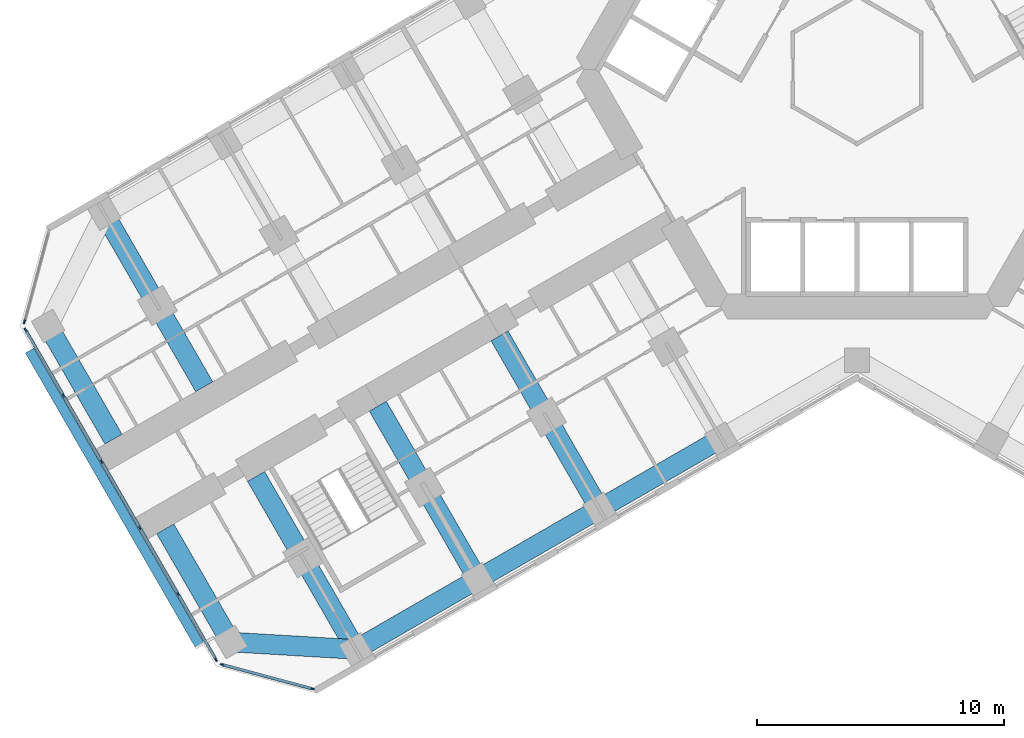
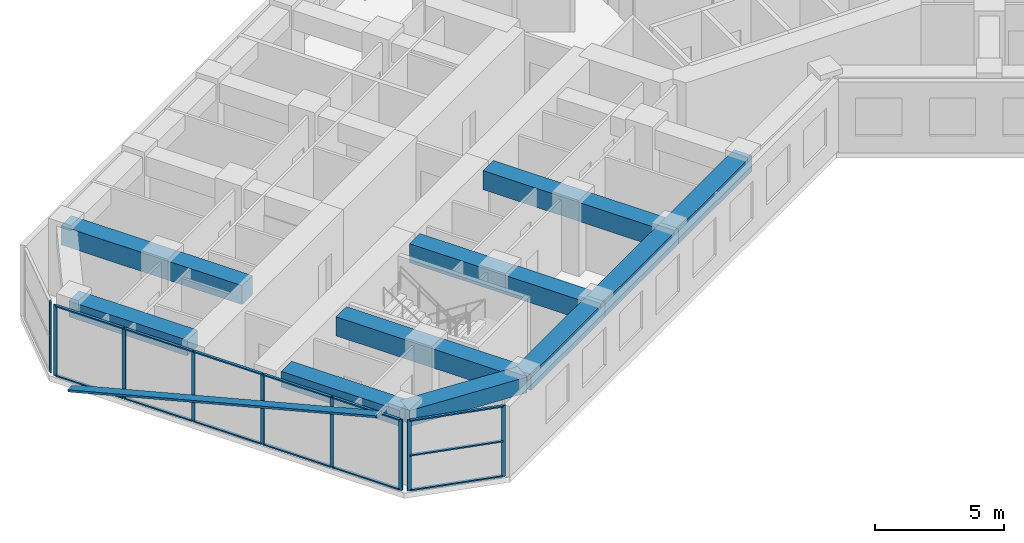
# One storey, part 2 of 21: 23 members, 10 beams, 3 elements without a shape of their own.
"""IFC4 building model written with IfcOpenShell, lengths in metres."""

from ifc_helpers import new_model, si_unit, direction, frame, origin, origin_2d, place, context, subcontext, project, spatial, rectangle, extrude, material, material_profile, profile_set, type_object, element, aggregate, save


model = new_model("IFC4")

# Units and contexts
model_context = context("Model", 3, precision=1e-05, world=origin(), true_north=direction((0.0, 1.0)))
body_context = subcontext(model_context, "Body", "Model", "MODEL_VIEW")
ifc_project = project(units=[si_unit("LENGTHUNIT", "METRE"), si_unit("AREAUNIT", "SQUARE_METRE"), si_unit("VOLUMEUNIT", "CUBIC_METRE"), si_unit("PLANEANGLEUNIT", "RADIAN"), si_unit("MASSUNIT", "GRAM", prefix="KILO")], contexts=[model_context])

# Site, building, storey
site_placement = place(None, origin())
site = spatial("IfcSite", under=ifc_project, at=site_placement, CompositionType="ELEMENT")
building_placement = place(site_placement, origin())
building = spatial("IfcBuilding", under=site, at=building_placement, Name="Kosmar Iwan School Tower", CompositionType="ELEMENT")
storey_placement = place(building_placement, frame((0.0, 0.0, 53.800048828125)))
storey = spatial("IfcBuildingStorey", under=building, at=storey_placement, Name="L12", CompositionType="ELEMENT", Elevation=53.800048828125)

# Member
ifc_material_1 = material(Name="Black anodised aluminium", Category="aluminium")
ifc_material_profile_1 = material_profile(ifc_material_1, rectangle(XDim=0.10009765625, YDim=0.39990234375, at=origin_2d()), Name="FIN 100x400")
ifc_profile_set_1 = profile_set([ifc_material_profile_1], Name="Black anodised aluminium")
member_type_1 = type_object("IfcMemberType", Name="Diagonal fin 100x400", PredefinedType="USERDEFINED", material=ifc_profile_set_1)
member_1_placement = place(storey_placement, frame((-33.54345703125, -11.40087890625, -0.150146484375), z_axis=(0.483793446988, -0.837970316603, 0.25248692866), x_axis=(-0.126241714543, 0.218661104574, 0.96760030532)))
element("IfcMember", 1, at=member_1_placement, inside=storey, type_object=member_type_1, Name="Diagonal fin L12-F13", ObjectType="FIN", PredefinedType="USERDEFINED", context=body_context, shape_type="SweptSolid", body=[
    extrude(rectangle(XDim=0.10009765625, YDim=0.39990234375, at=origin_2d()), origin(), (0.0, 0.0, 1.0), 14.258544921875),
])

# Curtain wall, member
ifc_material_2 = material(Name="Dark glass in black aluminium frame", Category="aluminium")
curtain_wall_type_1 = type_object("IfcCurtainWallType", Name="Chamfer curtain wall dark glass", PredefinedType="USERDEFINED", material=ifc_material_2)
curtain_wall_1_placement = place(storey_placement, origin())
curtain_wall_1 = element("IfcCurtainWall", 2, at=curtain_wall_1_placement, inside=storey, type_object=curtain_wall_type_1, Name="Curtain wall L12-F12", ObjectType="FACETED CURTAIN WALL", PredefinedType="USERDEFINED")
ifc_material_3 = material(Name="Black anodised aluminium", Category="aluminium")
ifc_material_profile_2 = material_profile(ifc_material_3, rectangle(XDim=0.06005859375, YDim=0.159912109375, at=origin_2d()), Name="MULLION 60x160")
ifc_profile_set_2 = profile_set([ifc_material_profile_2], Name="Black anodised aluminium")
member_type_2 = type_object("IfcMemberType", Name="Mullion 60x160", PredefinedType="MULLION", material=ifc_profile_set_2)
member_2_placement = place(storey_placement, frame((-33.7587890625, -10.2236328125, 0.0), z_axis=(0.0, 0.0, 1.0), x_axis=(0.965925875495, -0.258818861462, 0.0)))
member_2 = element("IfcMember", 3, at=member_2_placement, type_object=member_type_2, Name="CW2 mullion 2", PredefinedType="MULLION", context=body_context, shape_type="SweptSolid", body=[
    extrude(rectangle(XDim=0.06005859375, YDim=0.159912109375, at=origin_2d()), origin(), (0.0, 0.0, 1.0), 3.349853515625),
])
aggregate(curtain_wall_1, [member_2])

# Curtain wall, members
ifc_material_4 = material(Name="Dark glass in black aluminium frame", Category="aluminium")
curtain_wall_type_2 = type_object("IfcCurtainWallType", Name="Tower curtain wall dark glass", PredefinedType="USERDEFINED", material=ifc_material_4)
curtain_wall_2_placement = place(storey_placement, origin())
curtain_wall_2 = element("IfcCurtainWall", 4, at=curtain_wall_2_placement, inside=storey, type_object=curtain_wall_type_2, Name="Curtain wall L12-F13", ObjectType="UNITISED CURTAIN WALL", PredefinedType="USERDEFINED")
member_3_placement = place(storey_placement, frame((-33.71533203125, -10.55322265625, 0.0), z_axis=(0.0, 0.0, 1.0), x_axis=(0.866025405329, 0.499999997325, 0.0)))
member_3 = element("IfcMember", 5, at=member_3_placement, type_object=member_type_2, Name="CW1 mullion 1", PredefinedType="MULLION", context=body_context, shape_type="SweptSolid", body=[
    extrude(rectangle(XDim=0.06005859375, YDim=0.159912109375, at=origin_2d()), origin(), (0.0, 0.0, 1.0), 3.349853515625),
])
member_4_placement = place(storey_placement, frame((-32.1806640625, -13.21142578125, 0.0), z_axis=(0.0, 0.0, 1.0), x_axis=(0.866025405329, 0.499999997325, 0.0)))
member_4 = element("IfcMember", 6, at=member_4_placement, type_object=member_type_2, Name="CW1 mullion 2", PredefinedType="MULLION", context=body_context, shape_type="SweptSolid", body=[
    extrude(rectangle(XDim=0.06005859375, YDim=0.159912109375, at=origin_2d()), origin(), (0.0, 0.0, 1.0), 3.349853515625),
])
member_5_placement = place(storey_placement, frame((-30.631103515625, -15.8955078125, 0.0), z_axis=(0.0, 0.0, 1.0), x_axis=(0.866025405329, 0.499999997325, 0.0)))
member_5 = element("IfcMember", 7, at=member_5_placement, type_object=member_type_2, Name="CW1 mullion 3", PredefinedType="MULLION", context=body_context, shape_type="SweptSolid", body=[
    extrude(rectangle(XDim=0.06005859375, YDim=0.159912109375, at=origin_2d()), origin(), (0.0, 0.0, 1.0), 3.349853515625),
])
member_6_placement = place(storey_placement, frame((-29.081298828125, -18.57958984375, 0.0), z_axis=(0.0, 0.0, 1.0), x_axis=(0.866025405329, 0.499999997325, 0.0)))
member_6 = element("IfcMember", 8, at=member_6_placement, type_object=member_type_2, Name="CW1 mullion 4", PredefinedType="MULLION", context=body_context, shape_type="SweptSolid", body=[
    extrude(rectangle(XDim=0.06005859375, YDim=0.159912109375, at=origin_2d()), origin(), (0.0, 0.0, 1.0), 3.349853515625),
])
member_7_placement = place(storey_placement, frame((-27.53173828125, -21.263671875, 0.0), z_axis=(0.0, 0.0, 1.0), x_axis=(0.866025405329, 0.499999997325, 0.0)))
member_7 = element("IfcMember", 9, at=member_7_placement, type_object=member_type_2, Name="CW1 mullion 5", PredefinedType="MULLION", context=body_context, shape_type="SweptSolid", body=[
    extrude(rectangle(XDim=0.06005859375, YDim=0.159912109375, at=origin_2d()), origin(), (0.0, 0.0, 1.0), 3.349853515625),
])
member_8_placement = place(storey_placement, frame((-25.9970703125, -23.921630859375, 0.0), z_axis=(0.0, 0.0, 1.0), x_axis=(0.866025405329, 0.499999997325, 0.0)))
member_8 = element("IfcMember", 10, at=member_8_placement, type_object=member_type_2, Name="CW1 mullion 6", PredefinedType="MULLION", context=body_context, shape_type="SweptSolid", body=[
    extrude(rectangle(XDim=0.06005859375, YDim=0.159912109375, at=origin_2d()), origin(), (0.0, 0.0, 1.0), 3.349853515625),
])

curtain_wall_3_placement = place(storey_placement, origin())
curtain_wall_3 = element("IfcCurtainWall", 11, at=curtain_wall_3_placement, inside=storey, type_object=curtain_wall_type_1, Name="Curtain wall L12-F14", ObjectType="FACETED CURTAIN WALL", PredefinedType="USERDEFINED")
member_9_placement = place(storey_placement, frame((-25.733154296875, -24.124267578125, 0.0), z_axis=(0.0, 0.0, 1.0), x_axis=(0.258818861462, 0.965925875495, 0.0)))
member_9 = element("IfcMember", 12, at=member_9_placement, type_object=member_type_2, Name="CW2 mullion 1", PredefinedType="MULLION", context=body_context, shape_type="SweptSolid", body=[
    extrude(rectangle(XDim=0.06005859375, YDim=0.159912109375, at=origin_2d()), origin(), (0.0, 0.0, 1.0), 3.349853515625),
])
member_10_placement = place(storey_placement, frame((-22.0830078125, -25.102294921875, 0.0), z_axis=(0.0, 0.0, 1.0), x_axis=(0.258818861462, 0.965925875495, 0.0)))
member_10 = element("IfcMember", 13, at=member_10_placement, type_object=member_type_2, Name="CW2 mullion 2", PredefinedType="MULLION", context=body_context, shape_type="SweptSolid", body=[
    extrude(rectangle(XDim=0.06005859375, YDim=0.159912109375, at=origin_2d()), origin(), (0.0, 0.0, 1.0), 3.349853515625),
])

# Beams
ifc_material_5 = material(Name="Concrete C50/60", Category="concrete")
ifc_material_profile_3 = material_profile(ifc_material_5, rectangle(XDim=0.800048828125, YDim=0.75, at=origin_2d()), Name="RC 800x750")
ifc_profile_set_3 = profile_set([ifc_material_profile_3], Name="Concrete C50/60")
beam_type_1 = type_object("IfcBeamType", Name="RC edge beam 800x750", PredefinedType="BEAM", material=ifc_profile_set_3)
beam_1_placement = place(storey_placement, frame((-5.5087890625, -14.95849609375, 2.974853515625), z_axis=(-0.866033658841, -0.49998570155, 0.0), x_axis=(0.49998570155, -0.866033658841, 0.0)))
element("IfcBeam", 14, at=beam_1_placement, inside=storey, type_object=beam_type_1, Name="Edge beam BL2", PredefinedType="BEAM", context=body_context, shape_type="SweptSolid", body=[
    extrude(rectangle(XDim=0.800048828125, YDim=0.75, at=origin_2d()), origin(), (0.0, 0.0, 1.0), 5.699951171875),
])
beam_2_placement = place(storey_placement, frame((-10.445068359375, -17.808349609375, 2.974853515625), z_axis=(-0.866025820012, -0.499999279071, 0.0), x_axis=(0.499999279071, -0.866025820012, 0.0)))
element("IfcBeam", 15, at=beam_2_placement, inside=storey, type_object=beam_type_1, Name="Edge beam BL3", PredefinedType="BEAM", context=body_context, shape_type="SweptSolid", body=[
    extrude(rectangle(XDim=0.800048828125, YDim=0.75, at=origin_2d()), origin(), (0.0, 0.0, 1.0), 5.7001953125),
])
beam_3_placement = place(storey_placement, frame((-15.381591796875, -20.658447265625, 2.974853515625), z_axis=(-0.866015111908, -0.50001782563, 0.0), x_axis=(0.50001782563, -0.866015111908, 0.0)))
element("IfcBeam", 16, at=beam_3_placement, inside=storey, type_object=beam_type_1, Name="Edge beam BL4", PredefinedType="BEAM", context=body_context, shape_type="SweptSolid", body=[
    extrude(rectangle(XDim=0.800048828125, YDim=0.75, at=origin_2d()), origin(), (0.0, 0.0, 1.0), 5.699951171875),
])
ifc_material_6 = material(Name="Concrete C50/60", Category="concrete")
ifc_material_profile_4 = material_profile(ifc_material_6, rectangle(XDim=0.800048828125, YDim=0.75, at=origin_2d()), Name="RC 800x750")
ifc_profile_set_4 = profile_set([ifc_material_profile_4], Name="Concrete C50/60")
beam_type_2 = type_object("IfcBeamType", Name="RC tip beam 800x750", PredefinedType="BEAM", material=ifc_profile_set_4)
beam_4_placement = place(storey_placement, frame((-20.31787109375, -23.508544921875, 2.974853515625), z_axis=(-0.998260616478, 0.058955420358, 0.0), x_axis=(-0.058955420358, -0.998260616478, 0.0)))
element("IfcBeam", 17, at=beam_4_placement, inside=storey, type_object=beam_type_2, Name="Tip beam BL", PredefinedType="BEAM", context=body_context, shape_type="SweptSolid", body=[
    extrude(rectangle(XDim=0.800048828125, YDim=0.75, at=origin_2d()), origin(), (0.0, 0.0, 1.0), 5.08935546875),
])
beam_5_placement = place(storey_placement, frame((-25.3984375, -23.20849609375, 2.974853515625), z_axis=(-0.499993606316, 0.866029095148, 0.0), x_axis=(-0.866029095148, -0.499993606316, 0.0)))
element("IfcBeam", 18, at=beam_5_placement, inside=storey, type_object=beam_type_2, Name="Tip beam BL to corridor wall", PredefinedType="BEAM", context=body_context, shape_type="SweptSolid", body=[
    extrude(rectangle(XDim=0.800048828125, YDim=0.75, at=origin_2d()), origin(), (0.0, 0.0, 1.0), 5.2998046875),
])
beam_6_placement = place(storey_placement, frame((-32.79833984375, -10.391357421875, 2.974853515625), z_axis=(0.499973660256, -0.866040610509, 0.0), x_axis=(0.866040610509, 0.499973660256, 0.0)))
element("IfcBeam", 19, at=beam_6_placement, inside=storey, type_object=beam_type_2, Name="Tip beam BR to corridor wall", PredefinedType="BEAM", context=body_context, shape_type="SweptSolid", body=[
    extrude(rectangle(XDim=0.800048828125, YDim=0.75, at=origin_2d()), origin(), (0.0, 0.0, 1.0), 5.300048828125),
])
ifc_material_7 = material(Name="Concrete C50/60", Category="concrete")
ifc_material_profile_5 = material_profile(ifc_material_7, rectangle(XDim=0.800048828125, YDim=0.89990234375, at=origin_2d()), Name="RC 800x900")
ifc_profile_set_5 = profile_set([ifc_material_profile_5], Name="Concrete C50/60")
beam_type_3 = type_object("IfcBeamType", Name="RC transverse beam 800x900", PredefinedType="BEAM", material=ifc_profile_set_5)
beam_7_placement = place(storey_placement, frame((-10.445068359375, -17.808349609375, 2.89990234375), z_axis=(-0.500012932018, 0.866017937352, 0.0), x_axis=(-0.866017937352, -0.500012932018, 0.0)))
element("IfcBeam", 20, at=beam_7_placement, inside=storey, type_object=beam_type_3, Name="Transverse beam BL2", PredefinedType="BEAM", context=body_context, shape_type="SweptSolid", body=[
    extrude(rectangle(XDim=0.800048828125, YDim=0.89990234375, at=origin_2d()), origin(), (0.0, 0.0, 1.0), 8.099853515625),
])
for number, where, z_axis, x_axis, name in (
    (21, (-15.381591796875, -20.658447265625, 2.89990234375), (-0.499977274689, 0.866038523851, 0.0), (-0.866038523851, -0.499977274689, 0.0), "Transverse beam BL3"),
    (22, (-20.31787109375, -23.508544921875, 2.89990234375), (-0.499999880539, 0.866025472755, 0.0), (-0.866025472755, -0.499999880539, 0.0), "Transverse beam BL4"),
    (23, (-30.517822265625, -5.841552734375, 2.89990234375), (0.499999880539, -0.866025472755, 0.0), (0.866025472755, 0.499999880539, 0.0), "Transverse beam BR4"),
):
    element("IfcBeam", number, at=place(storey_placement, frame(where, z_axis=z_axis, x_axis=x_axis)), inside=storey, type_object=beam_type_3, Name=name, PredefinedType="BEAM", context=body_context, shape_type="SweptSolid", body=[
        extrude(rectangle(XDim=0.800048828125, YDim=0.89990234375, at=origin_2d()), origin(), (0.0, 0.0, 1.0), 8.10009765625),
    ])

# Member
ifc_material_8 = material(Name="Black anodised aluminium", Category="aluminium")
ifc_material_profile_6 = material_profile(ifc_material_8, rectangle(XDim=0.1201171875, YDim=0.06005859375, at=origin_2d()), Name="TRANSOM 60x120")
ifc_profile_set_6 = profile_set([ifc_material_profile_6], Name="Black anodised aluminium")
member_type_3 = type_object("IfcMemberType", Name="Transom 60x120", PredefinedType="USERDEFINED", material=ifc_profile_set_6)
member_11_placement = place(storey_placement, frame((-33.700439453125, -10.579345703125, 0.030029296875), z_axis=(0.500022102064, -0.866012642776, 0.0), x_axis=(0.866012642776, 0.500022102064, 0.0)))
member_11 = element("IfcMember", 24, at=member_11_placement, type_object=member_type_3, Name="CW1 transom 1.1", ObjectType="TRANSOM", PredefinedType="USERDEFINED", context=body_context, shape_type="SweptSolid", body=[
    extrude(rectangle(XDim=0.1201171875, YDim=0.06005859375, at=origin_2d()), origin(), (0.0, 0.0, 1.0), 3.009033203125),
])

member_12_placement = place(storey_placement, frame((-33.700439453125, -10.579345703125, 3.320068359375), z_axis=(0.500022102064, -0.866012642776, 0.0), x_axis=(0.866012642776, 0.500022102064, 0.0)))
member_12 = element("IfcMember", 25, at=member_12_placement, type_object=member_type_3, Name="CW1 transom 1.2", ObjectType="TRANSOM", PredefinedType="USERDEFINED", context=body_context, shape_type="SweptSolid", body=[
    extrude(rectangle(XDim=0.1201171875, YDim=0.06005859375, at=origin_2d()), origin(), (0.0, 0.0, 1.0), 3.009033203125),
])

member_13_placement = place(storey_placement, frame((-32.165771484375, -13.2373046875, 0.030029296875), z_axis=(0.500035348339, -0.866004994449, 0.0), x_axis=(0.866004994449, 0.500035348339, 0.0)))
member_13 = element("IfcMember", 26, at=member_13_placement, type_object=member_type_3, Name="CW1 transom 2.1", ObjectType="TRANSOM", PredefinedType="USERDEFINED", context=body_context, shape_type="SweptSolid", body=[
    extrude(rectangle(XDim=0.1201171875, YDim=0.06005859375, at=origin_2d()), origin(), (0.0, 0.0, 1.0), 3.039306640625),
])

member_14_placement = place(storey_placement, frame((-32.165771484375, -13.2373046875, 3.320068359375), z_axis=(0.500035348339, -0.866004994449, 0.0), x_axis=(0.866004994449, 0.500035348339, 0.0)))
member_14 = element("IfcMember", 27, at=member_14_placement, type_object=member_type_3, Name="CW1 transom 2.2", ObjectType="TRANSOM", PredefinedType="USERDEFINED", context=body_context, shape_type="SweptSolid", body=[
    extrude(rectangle(XDim=0.1201171875, YDim=0.06005859375, at=origin_2d()), origin(), (0.0, 0.0, 1.0), 3.039306640625),
])

member_15_placement = place(storey_placement, frame((-30.615966796875, -15.92138671875, 0.030029296875), z_axis=(0.499975102327, -0.866039777986, 0.0), x_axis=(0.866039777986, 0.499975102327, 0.0)))
member_15 = element("IfcMember", 28, at=member_15_placement, type_object=member_type_3, Name="CW1 transom 3.1", ObjectType="TRANSOM", PredefinedType="USERDEFINED", context=body_context, shape_type="SweptSolid", body=[
    extrude(rectangle(XDim=0.1201171875, YDim=0.06005859375, at=origin_2d()), origin(), (0.0, 0.0, 1.0), 3.039306640625),
])

member_16_placement = place(storey_placement, frame((-30.615966796875, -15.92138671875, 3.320068359375), z_axis=(0.499975102327, -0.866039777986, 0.0), x_axis=(0.866039777986, 0.499975102327, 0.0)))
member_16 = element("IfcMember", 29, at=member_16_placement, type_object=member_type_3, Name="CW1 transom 3.2", ObjectType="TRANSOM", PredefinedType="USERDEFINED", context=body_context, shape_type="SweptSolid", body=[
    extrude(rectangle(XDim=0.1201171875, YDim=0.06005859375, at=origin_2d()), origin(), (0.0, 0.0, 1.0), 3.039306640625),
])

member_17_placement = place(storey_placement, frame((-29.06640625, -18.60546875, 0.030029296875), z_axis=(0.499975102327, -0.866039777986, 0.0), x_axis=(0.866039777986, 0.499975102327, 0.0)))
member_17 = element("IfcMember", 30, at=member_17_placement, type_object=member_type_3, Name="CW1 transom 4.1", ObjectType="TRANSOM", PredefinedType="USERDEFINED", context=body_context, shape_type="SweptSolid", body=[
    extrude(rectangle(XDim=0.1201171875, YDim=0.06005859375, at=origin_2d()), origin(), (0.0, 0.0, 1.0), 3.039306640625),
])

member_18_placement = place(storey_placement, frame((-29.06640625, -18.60546875, 3.320068359375), z_axis=(0.499975102327, -0.866039777986, 0.0), x_axis=(0.866039777986, 0.499975102327, 0.0)))
member_18 = element("IfcMember", 31, at=member_18_placement, type_object=member_type_3, Name="CW1 transom 4.2", ObjectType="TRANSOM", PredefinedType="USERDEFINED", context=body_context, shape_type="SweptSolid", body=[
    extrude(rectangle(XDim=0.1201171875, YDim=0.06005859375, at=origin_2d()), origin(), (0.0, 0.0, 1.0), 3.039306640625),
])

member_19_placement = place(storey_placement, frame((-27.516845703125, -21.28955078125, 0.030029296875), z_axis=(0.499986971506, -0.866032925658, 0.0), x_axis=(0.866032925658, 0.499986971506, 0.0)))
member_19 = element("IfcMember", 32, at=member_19_placement, type_object=member_type_3, Name="CW1 transom 5.1", ObjectType="TRANSOM", PredefinedType="USERDEFINED", context=body_context, shape_type="SweptSolid", body=[
    extrude(rectangle(XDim=0.1201171875, YDim=0.06005859375, at=origin_2d()), origin(), (0.0, 0.0, 1.0), 3.00927734375),
])

member_20_placement = place(storey_placement, frame((-27.516845703125, -21.28955078125, 3.320068359375), z_axis=(0.499986971506, -0.866032925658, 0.0), x_axis=(0.866032925658, 0.499986971506, 0.0)))
member_20 = element("IfcMember", 33, at=member_20_placement, type_object=member_type_3, Name="CW1 transom 5.2", ObjectType="TRANSOM", PredefinedType="USERDEFINED", context=body_context, shape_type="SweptSolid", body=[
    extrude(rectangle(XDim=0.1201171875, YDim=0.06005859375, at=origin_2d()), origin(), (0.0, 0.0, 1.0), 3.00927734375),
])

aggregate(curtain_wall_2, [member_3, member_4, member_5, member_6, member_7, member_8, member_11, member_12, member_13, member_14, member_15, member_16, member_17, member_18, member_19, member_20])

member_21_placement = place(storey_placement, frame((-25.704345703125, -24.1318359375, 0.030029296875), z_axis=(0.965923731726, -0.258826861991, 0.0), x_axis=(0.258826861991, 0.965923731726, 0.0)))
member_21 = element("IfcMember", 34, at=member_21_placement, type_object=member_type_3, Name="CW2 transom 1.1", ObjectType="TRANSOM", PredefinedType="USERDEFINED", context=body_context, shape_type="SweptSolid", body=[
    extrude(rectangle(XDim=0.1201171875, YDim=0.06005859375, at=origin_2d()), origin(), (0.0, 0.0, 1.0), 3.71923828125),
])

member_22_placement = place(storey_placement, frame((-25.704345703125, -24.1318359375, 1.675048828125), z_axis=(0.965923731726, -0.258826861991, 0.0), x_axis=(0.258826861991, 0.965923731726, 0.0)))
member_22 = element("IfcMember", 35, at=member_22_placement, type_object=member_type_3, Name="CW2 transom 1.2", ObjectType="TRANSOM", PredefinedType="USERDEFINED", context=body_context, shape_type="SweptSolid", body=[
    extrude(rectangle(XDim=0.1201171875, YDim=0.06005859375, at=origin_2d()), origin(), (0.0, 0.0, 1.0), 3.71923828125),
])

member_23_placement = place(storey_placement, frame((-25.704345703125, -24.1318359375, 3.320068359375), z_axis=(0.965923731726, -0.258826861991, 0.0), x_axis=(0.258826861991, 0.965923731726, 0.0)))
member_23 = element("IfcMember", 36, at=member_23_placement, type_object=member_type_3, Name="CW2 transom 1.3", ObjectType="TRANSOM", PredefinedType="USERDEFINED", context=body_context, shape_type="SweptSolid", body=[
    extrude(rectangle(XDim=0.1201171875, YDim=0.06005859375, at=origin_2d()), origin(), (0.0, 0.0, 1.0), 3.71923828125),
])

aggregate(curtain_wall_3, [member_9, member_10, member_21, member_22, member_23])

save(model, "model.ifc")
